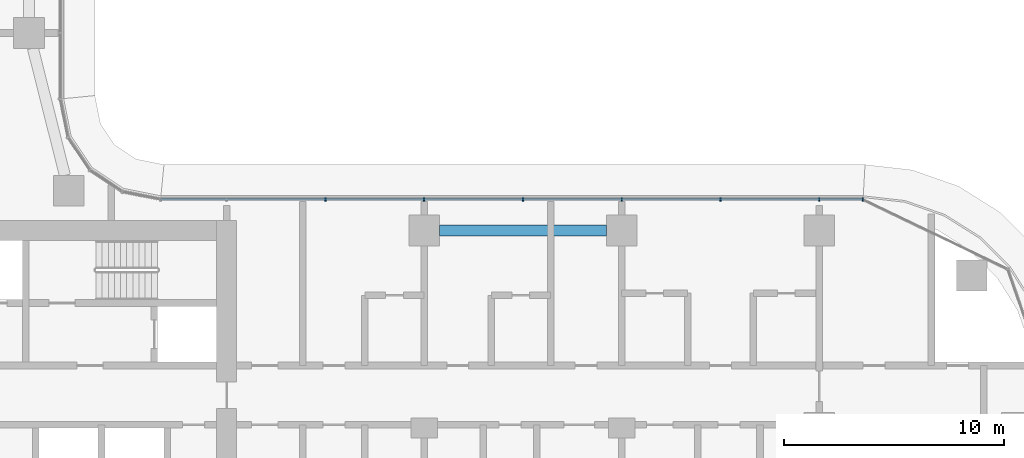
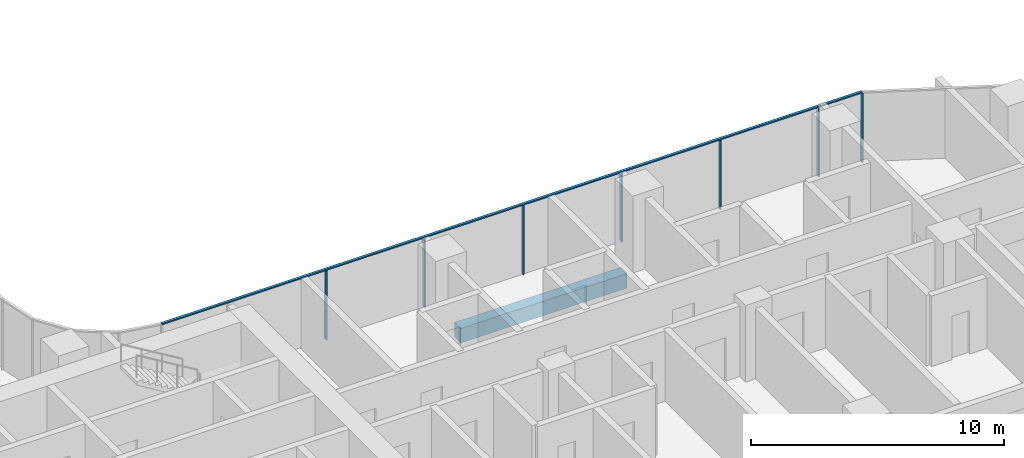
# One storey, part 4 of 36: 8 members, 1 beam, 1 element without a shape of its own.
"""IFC4 building model written with IfcOpenShell, lengths in metres."""

from ifc_helpers import new_model, si_unit, direction, frame, origin, origin_2d, place, context, subcontext, project, spatial, rectangle, extrude, material, material_profile, profile_set, type_object, element, aggregate, save


model = new_model("IFC4")

# Units and contexts
model_context = context("Model", 3, precision=1e-05, world=origin(), true_north=direction((0.0, 1.0)))
body_context = subcontext(model_context, "Body", "Model", "MODEL_VIEW")
ifc_project = project(units=[si_unit("LENGTHUNIT", "METRE"), si_unit("AREAUNIT", "SQUARE_METRE"), si_unit("VOLUMEUNIT", "CUBIC_METRE"), si_unit("PLANEANGLEUNIT", "RADIAN"), si_unit("MASSUNIT", "GRAM", prefix="KILO")], contexts=[model_context])

# Site, building, storey
site_placement = place(None, origin())
site = spatial("IfcSite", under=ifc_project, at=site_placement, CompositionType="ELEMENT")
building_placement = place(site_placement, origin())
building = spatial("IfcBuilding", under=site, at=building_placement, Name="Ogive Portal Towers", CompositionType="ELEMENT")
storey_placement = place(building_placement, frame((0.0, 0.0, 70.5)))
storey = spatial("IfcBuildingStorey", under=building, at=storey_placement, Name="L16", CompositionType="ELEMENT", Elevation=70.5)

# Curtain wall, members
ifc_material_1 = material(Name="Glass, clear low-iron insulated glazing", Category="glass")
curtain_wall_type = type_object("IfcCurtainWallType", Name="CW FRONT RIBBON 4500", PredefinedType="NOTDEFINED", material=ifc_material_1)
curtain_wall_placement = place(storey_placement, origin())
curtain_wall = element("IfcCurtainWall", 1, at=curtain_wall_placement, inside=storey, type_object=curtain_wall_type, Name="A:L16:f12:cw0", PredefinedType="NOTDEFINED")
ifc_material_2 = material(Name="Aluminium 6063 anodised", Category="aluminium")
ifc_material_profile_1 = material_profile(ifc_material_2, rectangle(XDim=0.159912109375, YDim=0.06005859375, at=origin_2d()), Name="AL 60x160")
ifc_profile_set_1 = profile_set([ifc_material_profile_1], Name="Aluminium 6063 anodised")
member_type_1 = type_object("IfcMemberType", Name="CW MULLION 60x160", PredefinedType="MULLION", material=ifc_profile_set_1)
member_1_placement = place(storey_placement, frame((87.481689453125, 40.919921875, 0.0), z_axis=(0.0, 0.0, 1.0), x_axis=(0.0, -1.0, 0.0)))
member_1 = element("IfcMember", 2, at=member_1_placement, type_object=member_type_1, Name="mullion", PredefinedType="MULLION", context=body_context, shape_type="SweptSolid", body=[
    extrude(rectangle(XDim=0.159912109375, YDim=0.06005859375, at=origin_2d()), origin(), (0.0, 0.0, 1.0), 3.340087890625),
])
member_2_placement = place(storey_placement, frame((85.5, 40.919921875, 0.0), z_axis=(0.0, 0.0, 1.0), x_axis=(0.0, -1.0, 0.0)))
member_2 = element("IfcMember", 3, at=member_2_placement, type_object=member_type_1, Name="mullion", PredefinedType="MULLION", context=body_context, shape_type="SweptSolid", body=[
    extrude(rectangle(XDim=0.159912109375, YDim=0.06005859375, at=origin_2d()), origin(), (0.0, 0.0, 1.0), 3.340087890625),
])
member_3_placement = place(storey_placement, frame((81.0, 40.919921875, 0.0), z_axis=(0.0, 0.0, 1.0), x_axis=(0.0, -1.0, 0.0)))
member_3 = element("IfcMember", 4, at=member_3_placement, type_object=member_type_1, Name="mullion", PredefinedType="MULLION", context=body_context, shape_type="SweptSolid", body=[
    extrude(rectangle(XDim=0.159912109375, YDim=0.06005859375, at=origin_2d()), origin(), (0.0, 0.0, 1.0), 3.340087890625),
])
member_4_placement = place(storey_placement, frame((76.5, 40.919921875, 0.0), z_axis=(0.0, 0.0, 1.0), x_axis=(0.0, -1.0, 0.0)))
member_4 = element("IfcMember", 5, at=member_4_placement, type_object=member_type_1, Name="mullion", PredefinedType="MULLION", context=body_context, shape_type="SweptSolid", body=[
    extrude(rectangle(XDim=0.159912109375, YDim=0.06005859375, at=origin_2d()), origin(), (0.0, 0.0, 1.0), 3.340087890625),
])
member_5_placement = place(storey_placement, frame((72.0, 40.919921875, 0.0), z_axis=(0.0, 0.0, 1.0), x_axis=(0.0, -1.0, 0.0)))
member_5 = element("IfcMember", 6, at=member_5_placement, type_object=member_type_1, Name="mullion", PredefinedType="MULLION", context=body_context, shape_type="SweptSolid", body=[
    extrude(rectangle(XDim=0.159912109375, YDim=0.06005859375, at=origin_2d()), origin(), (0.0, 0.0, 1.0), 3.340087890625),
])
member_6_placement = place(storey_placement, frame((67.5, 40.919921875, 0.0), z_axis=(0.0, 0.0, 1.0), x_axis=(0.0, -1.0, 0.0)))
member_6 = element("IfcMember", 7, at=member_6_placement, type_object=member_type_1, Name="mullion", PredefinedType="MULLION", context=body_context, shape_type="SweptSolid", body=[
    extrude(rectangle(XDim=0.159912109375, YDim=0.06005859375, at=origin_2d()), origin(), (0.0, 0.0, 1.0), 3.340087890625),
])
member_7_placement = place(storey_placement, frame((63.0, 40.919921875, 0.0), z_axis=(0.0, 0.0, 1.0), x_axis=(0.0, -1.0, 0.0)))
member_7 = element("IfcMember", 8, at=member_7_placement, type_object=member_type_1, Name="mullion", PredefinedType="MULLION", context=body_context, shape_type="SweptSolid", body=[
    extrude(rectangle(XDim=0.159912109375, YDim=0.06005859375, at=origin_2d()), origin(), (0.0, 0.0, 1.0), 3.340087890625),
])
ifc_material_profile_2 = material_profile(ifc_material_2, rectangle(XDim=0.1201171875, YDim=0.06005859375, at=origin_2d()), Name="AL 120x60")
ifc_profile_set_2 = profile_set([ifc_material_profile_2], Name="Aluminium 6063 anodised")
member_type_2 = type_object("IfcMemberType", Name="CW TRANSOM 60x120", PredefinedType="USERDEFINED", material=ifc_profile_set_2)
member_8_placement = place(storey_placement, frame((87.481689453125, 40.919921875, 3.3701171875), z_axis=(-1.0, 0.0, 0.0), x_axis=(0.0, -1.0, 0.0)))
member_8 = element("IfcMember", 9, at=member_8_placement, type_object=member_type_2, Name="transom", ObjectType="TRANSOM", PredefinedType="USERDEFINED", context=body_context, shape_type="SweptSolid", body=[
    extrude(rectangle(XDim=0.1201171875, YDim=0.06005859375, at=origin_2d()), origin(), (0.0, 0.0, 1.0), 31.989501953125),
])
aggregate(curtain_wall, [member_8, member_1, member_2, member_3, member_4, member_5, member_6, member_7])

# Beam
ifc_material_3 = material(Name="Concrete C40/50", Category="concrete")
ifc_material_profile_3 = material_profile(ifc_material_3, rectangle(XDim=0.5, YDim=0.699951171875, at=origin_2d()), Name="RC 500x700")
ifc_profile_set_3 = profile_set([ifc_material_profile_3], Name="Concrete C40/50")
beam_type = type_object("IfcBeamType", Name="SPANDREL BEAM RC 500x700", PredefinedType="BEAM", material=ifc_profile_set_3)
beam_placement = place(storey_placement, frame((68.199951171875, 39.5, -0.64990234375), z_axis=(1.0, 0.0, 0.0), x_axis=(0.0, 1.0, 0.0)))
element("IfcBeam", 10, at=beam_placement, inside=storey, type_object=beam_type, Name="Spandrel beam L16", PredefinedType="BEAM", context=body_context, shape_type="SweptSolid", body=[
    extrude(rectangle(XDim=0.5, YDim=0.699951171875, at=origin_2d()), origin(), (0.0, 0.0, 1.0), 7.60009765625),
])

save(model, "model.ifc")
